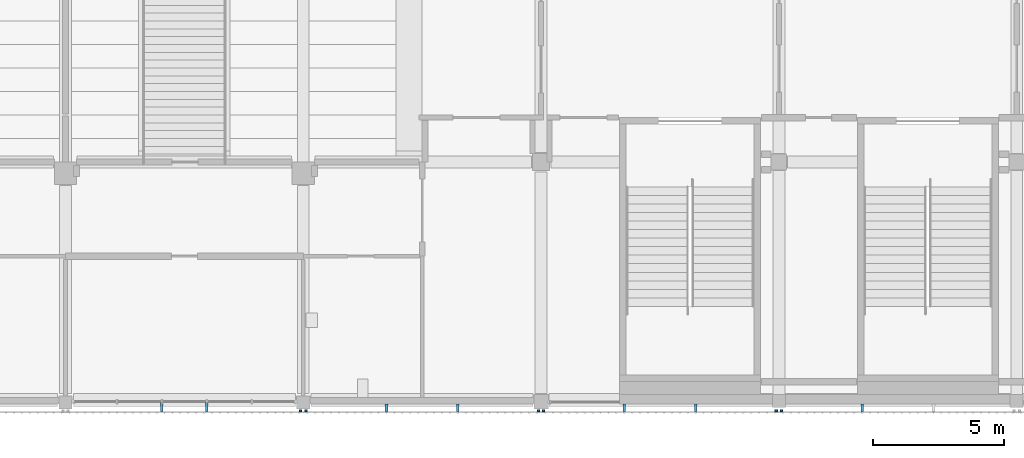
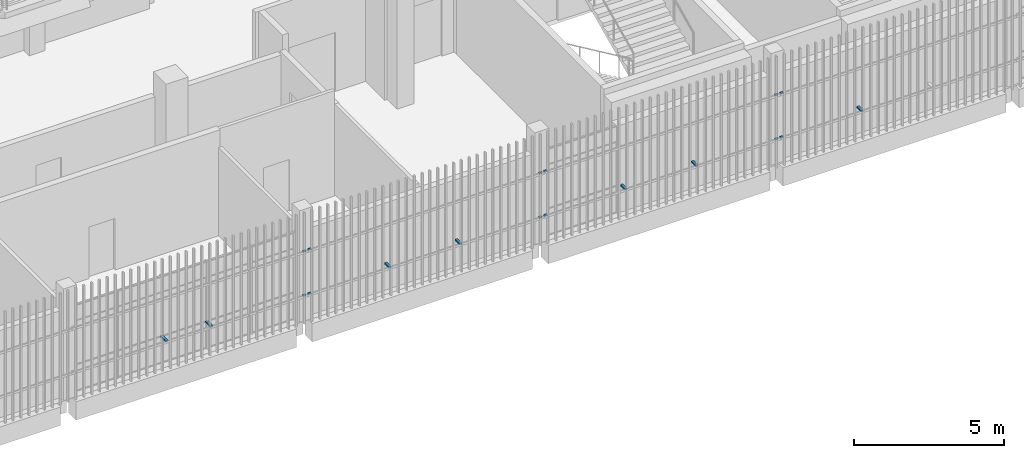
# One storey, part 102 of 139: 19 discrete accessories.
"""IFC4 building model written with IfcOpenShell, lengths in metres."""

from ifc_helpers import new_model, si_unit, direction, frame, origin, origin_2d, place, context, subcontext, project, spatial, rectangle, extrude, material, type_object, element, save


model = new_model("IFC4")

# Units and contexts
model_context = context("Model", 3, precision=1e-05, world=origin(), true_north=direction((0.0, 1.0)))
body_context = subcontext(model_context, "Body", "Model", "MODEL_VIEW")
ifc_project = project(units=[si_unit("LENGTHUNIT", "METRE"), si_unit("AREAUNIT", "SQUARE_METRE"), si_unit("VOLUMEUNIT", "CUBIC_METRE"), si_unit("PLANEANGLEUNIT", "RADIAN"), si_unit("MASSUNIT", "GRAM", prefix="KILO")], contexts=[model_context])

# Site, building, storey
site_placement = place(None, origin())
site = spatial("IfcSite", under=ifc_project, at=site_placement, CompositionType="ELEMENT")
building_placement = place(site_placement, origin())
building = spatial("IfcBuilding", under=site, at=building_placement, Name="Shirokan Park Arena", CompositionType="ELEMENT")
storey_placement = place(building_placement, frame((0.0, 0.0, 15.469970703125)))
storey = spatial("IfcBuildingStorey", under=building, at=storey_placement, Name="L03", CompositionType="ELEMENT", Elevation=15.469970703125)

# Discrete accessories
ifc_material = material(Name="Steel S355", Category="steel")
discrete_accessory_type = type_object("IfcDiscreteAccessoryType", Name="Veil bracket 100x60", PredefinedType="BRACKET", material=ifc_material)
for number, where, z_axis, x_axis, name in (
    (1, (100.0, -0.409912109375, 1.070068359375), (0.0, 0.0, 1.0), (1.0, 0.0, 0.0), "Veil bracket south bay 11 L03 2"),
    (2, (100.0, -0.409912109375, 2.8701171875), (0.0, 0.0, 1.0), (1.0, 0.0, 0.0), "Veil bracket south bay 11 L03 4"),
):
    element("IfcDiscreteAccessory", number, at=place(storey_placement, frame(where, z_axis=z_axis, x_axis=x_axis)), inside=storey, type_object=discrete_accessory_type, Name=name, PredefinedType="BRACKET", context=body_context, shape_type="SweptSolid", body=[
        extrude(rectangle(XDim=0.10009765625, YDim=0.070068359375, at=origin_2d()), origin(), (0.0, 0.0, 1.0), 0.06005859375),
    ])
for number, where, z_axis, x_axis, name in (
    (3, (94.68994140625, -0.2724609375, 1.070068359375), (0.0, 0.0, 1.0), (1.0, 0.0, 0.0), "Veil bracket south bay 11 L03 wall 1"),
    (4, (96.409912109375, -0.2724609375, 1.070068359375), (0.0, 0.0, 1.0), (1.0, 0.0, 0.0), "Veil bracket south bay 11 L03 wall 2"),
):
    element("IfcDiscreteAccessory", number, at=place(storey_placement, frame(where, z_axis=z_axis, x_axis=x_axis)), inside=storey, type_object=discrete_accessory_type, Name=name, PredefinedType="BRACKET", context=body_context, shape_type="SweptSolid", body=[
        extrude(rectangle(XDim=0.10009765625, YDim=0.344970703125, at=origin_2d()), origin(), (0.0, 0.0, 1.0), 0.06005859375),
    ])
for number, where, z_axis, x_axis, name in (
    (5, (100.199951171875, -0.409912109375, 1.070068359375), (0.0, 0.0, 1.0), (1.0, 0.0, 0.0), "Veil bracket south bay 12 L03 1"),
    (6, (109.10009765625, -0.409912109375, 1.070068359375), (0.0, 0.0, 1.0), (1.0, 0.0, 0.0), "Veil bracket south bay 12 L03 2"),
    (7, (100.199951171875, -0.409912109375, 2.8701171875), (0.0, 0.0, 1.0), (1.0, 0.0, 0.0), "Veil bracket south bay 12 L03 3"),
    (8, (109.10009765625, -0.409912109375, 2.8701171875), (0.0, 0.0, 1.0), (1.0, 0.0, 0.0), "Veil bracket south bay 12 L03 4"),
):
    element("IfcDiscreteAccessory", number, at=place(storey_placement, frame(where, z_axis=z_axis, x_axis=x_axis)), inside=storey, type_object=discrete_accessory_type, Name=name, PredefinedType="BRACKET", context=body_context, shape_type="SweptSolid", body=[
        extrude(rectangle(XDim=0.10009765625, YDim=0.070068359375, at=origin_2d()), origin(), (0.0, 0.0, 1.0), 0.06005859375),
    ])
for number, where, z_axis, x_axis, name in (
    (9, (103.284912109375, -0.297607421875, 1.070068359375), (0.0, 0.0, 1.0), (1.0, 0.0, 0.0), "Veil bracket south bay 12 L03 wall 1"),
    (10, (106.014892578125, -0.297607421875, 1.070068359375), (0.0, 0.0, 1.0), (1.0, 0.0, 0.0), "Veil bracket south bay 12 L03 wall 2"),
):
    element("IfcDiscreteAccessory", number, at=place(storey_placement, frame(where, z_axis=z_axis, x_axis=x_axis)), inside=storey, type_object=discrete_accessory_type, Name=name, PredefinedType="BRACKET", context=body_context, shape_type="SweptSolid", body=[
        extrude(rectangle(XDim=0.10009765625, YDim=0.294921875, at=origin_2d()), origin(), (0.0, 0.0, 1.0), 0.06005859375),
    ])
for number, where, z_axis, x_axis, name in (
    (11, (109.300048828125, -0.409912109375, 1.070068359375), (0.0, 0.0, 1.0), (1.0, 0.0, 0.0), "Veil bracket south bay 13 L03 1"),
    (12, (118.199951171875, -0.409912109375, 1.070068359375), (0.0, 0.0, 1.0), (1.0, 0.0, 0.0), "Veil bracket south bay 13 L03 2"),
    (13, (109.300048828125, -0.409912109375, 2.8701171875), (0.0, 0.0, 1.0), (1.0, 0.0, 0.0), "Veil bracket south bay 13 L03 3"),
    (14, (118.199951171875, -0.409912109375, 2.8701171875), (0.0, 0.0, 1.0), (1.0, 0.0, 0.0), "Veil bracket south bay 13 L03 4"),
):
    element("IfcDiscreteAccessory", number, at=place(storey_placement, frame(where, z_axis=z_axis, x_axis=x_axis)), inside=storey, type_object=discrete_accessory_type, Name=name, PredefinedType="BRACKET", context=body_context, shape_type="SweptSolid", body=[
        extrude(rectangle(XDim=0.10009765625, YDim=0.070068359375, at=origin_2d()), origin(), (0.0, 0.0, 1.0), 0.06005859375),
    ])
for number, where, z_axis, x_axis, name in (
    (15, (112.385009765625, -0.297607421875, 1.070068359375), (0.0, 0.0, 1.0), (1.0, 0.0, 0.0), "Veil bracket south bay 13 L03 wall 1"),
    (16, (115.114990234375, -0.297607421875, 1.070068359375), (0.0, 0.0, 1.0), (1.0, 0.0, 0.0), "Veil bracket south bay 13 L03 wall 2"),
):
    element("IfcDiscreteAccessory", number, at=place(storey_placement, frame(where, z_axis=z_axis, x_axis=x_axis)), inside=storey, type_object=discrete_accessory_type, Name=name, PredefinedType="BRACKET", context=body_context, shape_type="SweptSolid", body=[
        extrude(rectangle(XDim=0.10009765625, YDim=0.294921875, at=origin_2d()), origin(), (0.0, 0.0, 1.0), 0.06005859375),
    ])
for number, where, z_axis, x_axis, name in (
    (17, (118.39990234375, -0.409912109375, 1.070068359375), (0.0, 0.0, 1.0), (1.0, 0.0, 0.0), "Veil bracket south bay 14 L03 1"),
    (18, (118.39990234375, -0.409912109375, 2.8701171875), (0.0, 0.0, 1.0), (1.0, 0.0, 0.0), "Veil bracket south bay 14 L03 3"),
):
    element("IfcDiscreteAccessory", number, at=place(storey_placement, frame(where, z_axis=z_axis, x_axis=x_axis)), inside=storey, type_object=discrete_accessory_type, Name=name, PredefinedType="BRACKET", context=body_context, shape_type="SweptSolid", body=[
        extrude(rectangle(XDim=0.10009765625, YDim=0.070068359375, at=origin_2d()), origin(), (0.0, 0.0, 1.0), 0.06005859375),
    ])
discrete_accessory_placement = place(storey_placement, frame((121.485107421875, -0.297607421875, 1.070068359375), z_axis=(0.0, 0.0, 1.0), x_axis=(1.0, 0.0, 0.0)))
element("IfcDiscreteAccessory", 19, at=discrete_accessory_placement, inside=storey, type_object=discrete_accessory_type, Name="Veil bracket south bay 14 L03 wall 1", PredefinedType="BRACKET", context=body_context, shape_type="SweptSolid", body=[
    extrude(rectangle(XDim=0.10009765625, YDim=0.294921875, at=origin_2d()), origin(), (0.0, 0.0, 1.0), 0.06005859375),
])

save(model, "model.ifc")
